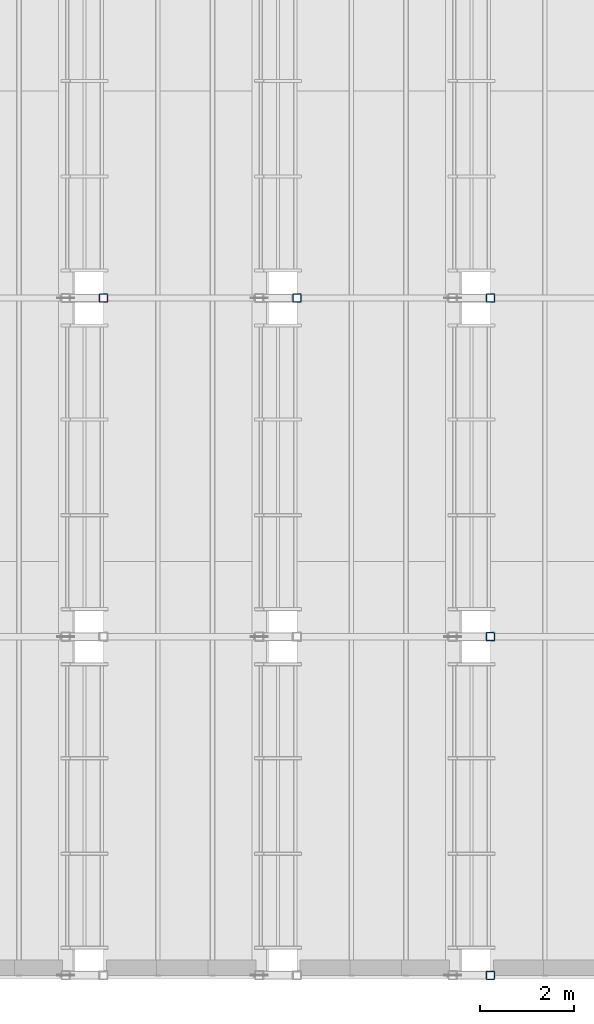
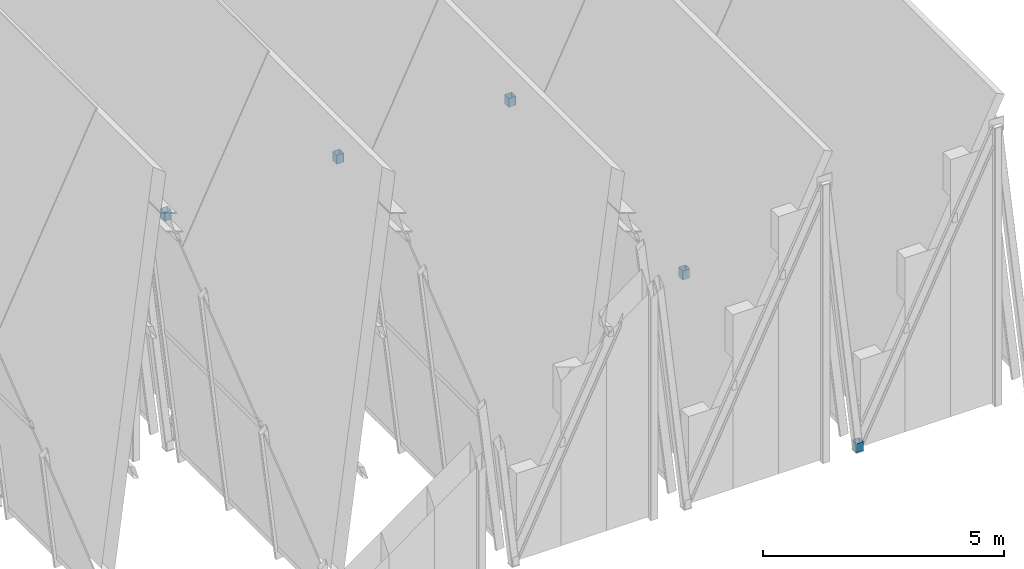
# One storey, part 12 of 28: 5 members.
"""IFC4 building model written with IfcOpenShell, lengths in metres."""

import ifcopenshell
import ifcopenshell.guid

model = None  # the IFC model being written
_history = None  # IfcOwnerHistory: only IFC2X3 demands one
_inside = {}  # id of a spatial element -> (the spatial element, [elements in it])
_under = {}  # id of a project, library or spatial element -> (it, [spatial elements below it])
_declared = {}  # id of a project -> (the project, [libraries it declares])
_typed = {}  # id of a type object -> (the type object, [elements of that type])
_made_of = {}  # id of a material, layer set ... -> (it, [elements and type objects made of it])


def new_model(schema):
    """Start an empty IFC model of exactly this schema.

    Asked for "IFC4X3", IfcOpenShell would pick the latest addendum, in which some entities
    have other attributes; the version numbers below select the first issue.
    IFC2X3 requires an IfcOwnerHistory on every rooted entity: one is made here for all.
    """
    global model, _history
    if schema == "IFC4X3":
        model = ifcopenshell.file(schema_version=(4, 3, 0, 0))
    else:
        model = ifcopenshell.file(schema=schema)
    _inside.clear()
    _under.clear()
    _declared.clear()
    _typed.clear()
    _made_of.clear()
    _history = None
    if model.schema == "IFC2X3":
        org = make("IfcOrganization", Name="unknown")
        user = make(
            "IfcPersonAndOrganization",
            ThePerson=make("IfcPerson", FamilyName="unknown"),
            TheOrganization=org,
        )
        app = make(
            "IfcApplication",
            ApplicationDeveloper=org,
            Version="unknown",
            ApplicationFullName="unknown",
            ApplicationIdentifier="unknown",
        )
        _history = make(
            "IfcOwnerHistory",
            OwningUser=user,
            OwningApplication=app,
            ChangeAction="ADDED",
            CreationDate=0,
        )
    return model


def make(cls, **values):
    """One entity of the class cls with the attributes given. An attribute that is None is left unset."""
    return model.create_entity(
        cls, **{name: value for name, value in values.items() if value is not None}
    )


def rooted(cls, **values):
    """An entity with a GlobalId (a new one), such as an element, a storey or a relation."""
    return make(cls, GlobalId=ifcopenshell.guid.new(), OwnerHistory=_history, **values)


def si_unit(unit_type, name, prefix=None):
    """IfcSIUnit, for example si_unit("LENGTHUNIT", "METRE", prefix="MILLI")."""
    return make("IfcSIUnit", UnitType=unit_type, Prefix=prefix, Name=name)


def assignment(units):
    """IfcUnitAssignment: the units of a project."""
    return None if units is None else make("IfcUnitAssignment", Units=units)


def point(xyz):
    """IfcCartesianPoint."""
    return None if xyz is None else make("IfcCartesianPoint", Coordinates=xyz)


def direction(xyz):
    """IfcDirection."""
    return None if xyz is None else make("IfcDirection", DirectionRatios=xyz)


def frame(location, z_axis=None, x_axis=None):
    """IfcAxis2Placement3D, a coordinate frame: its origin and axes. An axis left out is left unset."""
    return make(
        "IfcAxis2Placement3D",
        Location=point(location),
        Axis=direction(z_axis),
        RefDirection=direction(x_axis),
    )


def frame_2d(location, x_axis=None):
    """IfcAxis2Placement2D, a coordinate frame in the plane: its origin and x axis."""
    return make(
        "IfcAxis2Placement2D", Location=point(location), RefDirection=direction(x_axis)
    )


def origin():
    """The frame at (0, 0, 0) with its axes left unset."""
    return frame((0.0, 0.0, 0.0))


def origin_2d():
    """The frame at (0, 0) in the plane with its x axis left unset."""
    return frame_2d((0.0, 0.0))


def place(relative_to, where):
    """IfcLocalPlacement: puts the frame where relative to a parent placement (None: the world)."""
    return make(
        "IfcLocalPlacement", PlacementRelTo=relative_to, RelativePlacement=where
    )


def context(
    kind, dimensions, precision=None, world=None, true_north=None, identifier=None
):
    """IfcGeometricRepresentationContext, for example the 3D "Model" context."""
    return make(
        "IfcGeometricRepresentationContext",
        ContextIdentifier=identifier,
        ContextType=kind,
        CoordinateSpaceDimension=dimensions,
        Precision=precision,
        WorldCoordinateSystem=world,
        TrueNorth=true_north,
    )


def subcontext(parent, identifier, kind, view, scale=None):
    """IfcGeometricRepresentationSubContext, for example "Body" below "Model"."""
    return make(
        "IfcGeometricRepresentationSubContext",
        ContextIdentifier=identifier,
        ContextType=kind,
        ParentContext=parent,
        TargetScale=scale,
        TargetView=view,
    )


def project(units=None, contexts=None):
    """IfcProject with its units and contexts."""
    return rooted(
        "IfcProject",
        Name="project",
        RepresentationContexts=contexts,
        UnitsInContext=assignment(units),
    )


def spatial(cls, under=None, at=None, **own):
    """A site, building, storey or space (cls), placed at a placement, below another one or the project."""
    s = rooted(cls, ObjectPlacement=at, **own)
    if under is not None:
        _under.setdefault(under.id(), (under, []))[1].append(s)
    return s


def profile(cls, at=None, kind="AREA", **sizes):
    """A parametric profile (cls). Its sizes go by their IFC names, for example OverallWidth=200.0."""
    return make(cls, ProfileType=kind, Position=at, **sizes)


def hollow_rectangle(**sizes):
    """IfcRectangleHollowProfileDef."""
    return profile("IfcRectangleHollowProfileDef", **sizes)


def extrude(swept, where, along, depth):
    """IfcExtrudedAreaSolid: the profile swept, set in the frame where, extruded along a direction by depth."""
    return make(
        "IfcExtrudedAreaSolid",
        SweptArea=swept,
        Position=where,
        ExtrudedDirection=direction(along),
        Depth=depth,
    )


def shape(context_of_items, identifier, shape_type, items):
    """IfcShapeRepresentation: the items that make up one representation, for example the "Body"."""
    return make(
        "IfcShapeRepresentation",
        ContextOfItems=context_of_items,
        RepresentationIdentifier=identifier,
        RepresentationType=shape_type,
        Items=items,
    )


def material(Name=None, Category=None):
    """IfcMaterial."""
    return make("IfcMaterial", Name=Name, Category=Category)


def material_profile(
    of_material, cross_section, Name=None, Category=None, Priority=None
):
    """IfcMaterialProfile: a cross section and its material."""
    return make(
        "IfcMaterialProfile",
        Name=Name,
        Material=of_material,
        Profile=cross_section,
        Priority=Priority,
        Category=Category,
    )


def profile_set(profiles, Name=None, composite=None):
    """IfcMaterialProfileSet."""
    return make(
        "IfcMaterialProfileSet",
        Name=Name,
        MaterialProfiles=profiles,
        CompositeProfile=composite,
    )


def made_of(thing, what):
    """Note that an element or type object is made of a material, layer set ...; save() writes the relation."""
    if what is not None:
        _made_of.setdefault(what.id(), (what, []))[1].append(thing)
    return thing


def type_object(cls, material=None, **own):
    """A type object (cls), such as IfcWallType, which elements share."""
    return made_of(rooted(cls, **own), material)


def element(
    cls,
    number,
    at=None,
    inside=None,
    cuts=None,
    type_object=None,
    material=None,
    context=None,
    identifier="Body",
    shape_type=None,
    held_by="IfcProductDefinitionShape",
    body=None,
    shapes=None,
    **own,
):
    """One element of the class cls, such as IfcWall. Its Tag is "e" and its number.

    at: its placement. inside: the storey or other place that contains it. cuts: it is an
    opening in that element (IfcRelVoidsElement). A single representation is given by context,
    identifier, shape_type and body (its items); several are given by shapes. held_by: the class
    of the entity that holds the representations. save() writes the other relations.
    """
    e = rooted(cls, Tag="e%d" % number, ObjectPlacement=at, **own)
    if body is not None:
        shapes = [shape(context, identifier, shape_type, body)]
    if shapes is not None:
        e.Representation = make(held_by, Representations=shapes)
    if inside is not None:
        _inside.setdefault(inside.id(), (inside, []))[1].append(e)
    if cuts is not None:
        rooted(
            "IfcRelVoidsElement", RelatingBuildingElement=cuts, RelatedOpeningElement=e
        )
    if type_object is not None:
        _typed.setdefault(type_object.id(), (type_object, []))[1].append(e)
    return made_of(e, material)


def aggregate(whole, parts):
    """IfcRelAggregates: a whole, such as a stair, and the parts it consists of."""
    return rooted("IfcRelAggregates", RelatingObject=whole, RelatedObjects=parts)


def save(model, path):
    """Write the relations noted so far, then the file.

    IfcRelAggregates (storeys below a building ...), IfcRelContainedInSpatialStructure (elements
    in a storey), IfcRelDefinesByType, IfcRelAssociatesMaterial and IfcRelDeclares: one each for
    every whole, place, type object, material and project.
    """
    for whole, parts in _under.values():
        aggregate(whole, parts)
    for where, things in _inside.values():
        rooted(
            "IfcRelContainedInSpatialStructure",
            RelatedElements=things,
            RelatingStructure=where,
        )
    for kind, things in _typed.values():
        rooted("IfcRelDefinesByType", RelatedObjects=things, RelatingType=kind)
    for what, things in _made_of.values():
        rooted("IfcRelAssociatesMaterial", RelatedObjects=things, RelatingMaterial=what)
    for by, libraries in _declared.values():
        rooted("IfcRelDeclares", RelatingContext=by, RelatedDefinitions=libraries)
    model.write(path)


model = new_model("IFC4")

# Units and contexts
model_context = context("Model", 3, precision=1e-05, world=origin(), true_north=direction((0.0, 1.0)))
body_context = subcontext(model_context, "Body", "Model", "MODEL_VIEW")
ifc_project = project(units=[si_unit("LENGTHUNIT", "METRE"), si_unit("AREAUNIT", "SQUARE_METRE"), si_unit("VOLUMEUNIT", "CUBIC_METRE"), si_unit("PLANEANGLEUNIT", "RADIAN"), si_unit("MASSUNIT", "GRAM", prefix="KILO")], contexts=[model_context])

# Site, building, storey
site_placement = place(None, origin())
site = spatial("IfcSite", under=ifc_project, at=site_placement, CompositionType="ELEMENT")
building_placement = place(site_placement, origin())
building = spatial("IfcBuilding", under=site, at=building_placement, Name="Bramveld Media Centre", CompositionType="ELEMENT")
storey_placement = place(building_placement, frame((0.0, 0.0, 33.89990234375)))
storey = spatial("IfcBuildingStorey", under=building, at=storey_placement, Name="ROOF", CompositionType="ELEMENT", Elevation=33.89990234375)

# Members
ifc_material = material(Name="Steel S355J2H", Category="steel")
ifc_material_profile = material_profile(ifc_material, hollow_rectangle(XDim=0.179931640625, YDim=0.179931640625, WallThickness=0.010009765625, InnerFilletRadius=0.010009765625, OuterFilletRadius=0.02001953125, at=origin_2d()), Name="SHS 180x180x10")
ifc_profile_set = profile_set([ifc_material_profile], Name="Steel S355J2H")
member_type = type_object("IfcMemberType", Name="MEM-POST-SHS180", PredefinedType="POST", material=ifc_profile_set)
for number, where, z_axis, x_axis, name in (
    (1, (147.656982421875, 97.60009765625, -0.0498046875), (0.0, 0.0, 1.0), (1.0, 0.0, 0.0), "CRN-FR-B05-F3 gable eave post"),
    (2, (151.771484375, 97.60009765625, -0.0498046875), (0.0, 0.0, 1.0), (1.0, 0.0, 0.0), "CRN-FR-B06-F3 gable eave post"),
    (3, (155.8857421875, 83.199951171875, -0.0498046875), (0.0, 0.0, 1.0), (1.0, 0.0, 0.0), "CRN-FR-B07-F1 gable eave post"),
    (4, (155.8857421875, 90.39990234375, -0.0498046875), (0.0, 0.0, 1.0), (1.0, 0.0, 0.0), "CRN-FR-B07-F2 gable eave post"),
    (5, (155.8857421875, 97.60009765625, -0.0498046875), (0.0, 0.0, 1.0), (1.0, 0.0, 0.0), "CRN-FR-B07-F3 gable eave post"),
):
    element("IfcMember", number, at=place(storey_placement, frame(where, z_axis=z_axis, x_axis=x_axis)), inside=storey, type_object=member_type, Name=name, PredefinedType="POST", context=body_context, shape_type="SweptSolid", body=[
        extrude(hollow_rectangle(XDim=0.179931640625, YDim=0.179931640625, WallThickness=0.010009765625, InnerFilletRadius=0.010009765625, OuterFilletRadius=0.02001953125, at=origin_2d()), origin(), (0.0, 0.0, 1.0), 0.224609375),
    ])

save(model, "model.ifc")
